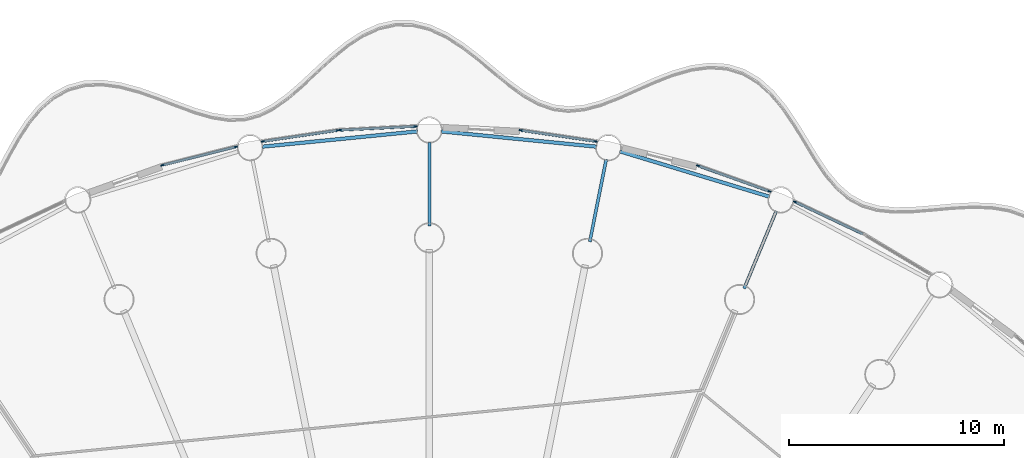
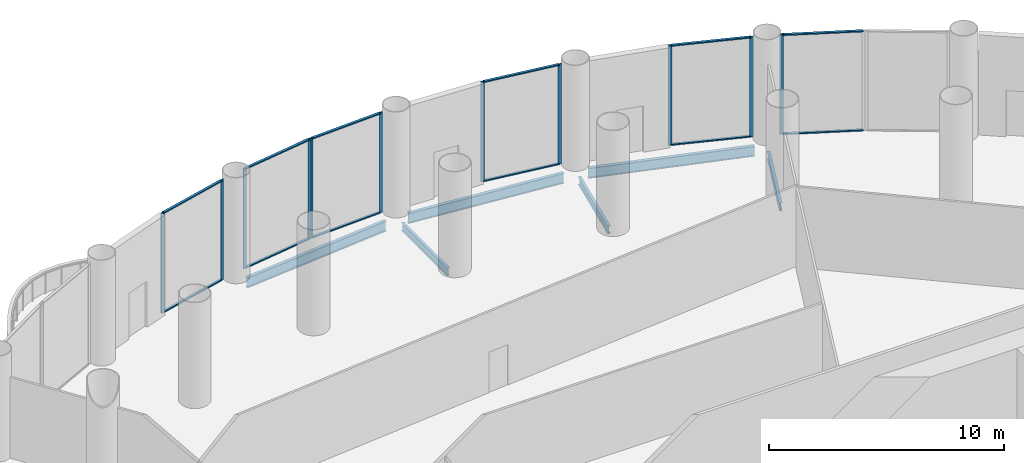
# One storey, part 18 of 37: 23 members, 6 beams, 6 elements without a shape of their own.
"""IFC4 building model written with IfcOpenShell, lengths in metres."""

import ifcopenshell
import ifcopenshell.guid

model = None  # the IFC model being written
_history = None  # IfcOwnerHistory: only IFC2X3 demands one
_inside = {}  # id of a spatial element -> (the spatial element, [elements in it])
_under = {}  # id of a project, library or spatial element -> (it, [spatial elements below it])
_declared = {}  # id of a project -> (the project, [libraries it declares])
_typed = {}  # id of a type object -> (the type object, [elements of that type])
_made_of = {}  # id of a material, layer set ... -> (it, [elements and type objects made of it])


def new_model(schema):
    """Start an empty IFC model of exactly this schema.

    Asked for "IFC4X3", IfcOpenShell would pick the latest addendum, in which some entities
    have other attributes; the version numbers below select the first issue.
    IFC2X3 requires an IfcOwnerHistory on every rooted entity: one is made here for all.
    """
    global model, _history
    if schema == "IFC4X3":
        model = ifcopenshell.file(schema_version=(4, 3, 0, 0))
    else:
        model = ifcopenshell.file(schema=schema)
    _inside.clear()
    _under.clear()
    _declared.clear()
    _typed.clear()
    _made_of.clear()
    _history = None
    if model.schema == "IFC2X3":
        org = make("IfcOrganization", Name="unknown")
        user = make(
            "IfcPersonAndOrganization",
            ThePerson=make("IfcPerson", FamilyName="unknown"),
            TheOrganization=org,
        )
        app = make(
            "IfcApplication",
            ApplicationDeveloper=org,
            Version="unknown",
            ApplicationFullName="unknown",
            ApplicationIdentifier="unknown",
        )
        _history = make(
            "IfcOwnerHistory",
            OwningUser=user,
            OwningApplication=app,
            ChangeAction="ADDED",
            CreationDate=0,
        )
    return model


def make(cls, **values):
    """One entity of the class cls with the attributes given. An attribute that is None is left unset."""
    return model.create_entity(
        cls, **{name: value for name, value in values.items() if value is not None}
    )


def rooted(cls, **values):
    """An entity with a GlobalId (a new one), such as an element, a storey or a relation."""
    return make(cls, GlobalId=ifcopenshell.guid.new(), OwnerHistory=_history, **values)


def si_unit(unit_type, name, prefix=None):
    """IfcSIUnit, for example si_unit("LENGTHUNIT", "METRE", prefix="MILLI")."""
    return make("IfcSIUnit", UnitType=unit_type, Prefix=prefix, Name=name)


def assignment(units):
    """IfcUnitAssignment: the units of a project."""
    return None if units is None else make("IfcUnitAssignment", Units=units)


def point(xyz):
    """IfcCartesianPoint."""
    return None if xyz is None else make("IfcCartesianPoint", Coordinates=xyz)


def direction(xyz):
    """IfcDirection."""
    return None if xyz is None else make("IfcDirection", DirectionRatios=xyz)


def frame(location, z_axis=None, x_axis=None):
    """IfcAxis2Placement3D, a coordinate frame: its origin and axes. An axis left out is left unset."""
    return make(
        "IfcAxis2Placement3D",
        Location=point(location),
        Axis=direction(z_axis),
        RefDirection=direction(x_axis),
    )


def frame_2d(location, x_axis=None):
    """IfcAxis2Placement2D, a coordinate frame in the plane: its origin and x axis."""
    return make(
        "IfcAxis2Placement2D", Location=point(location), RefDirection=direction(x_axis)
    )


def origin():
    """The frame at (0, 0, 0) with its axes left unset."""
    return frame((0.0, 0.0, 0.0))


def origin_2d():
    """The frame at (0, 0) in the plane with its x axis left unset."""
    return frame_2d((0.0, 0.0))


def place(relative_to, where):
    """IfcLocalPlacement: puts the frame where relative to a parent placement (None: the world)."""
    return make(
        "IfcLocalPlacement", PlacementRelTo=relative_to, RelativePlacement=where
    )


def context(
    kind, dimensions, precision=None, world=None, true_north=None, identifier=None
):
    """IfcGeometricRepresentationContext, for example the 3D "Model" context."""
    return make(
        "IfcGeometricRepresentationContext",
        ContextIdentifier=identifier,
        ContextType=kind,
        CoordinateSpaceDimension=dimensions,
        Precision=precision,
        WorldCoordinateSystem=world,
        TrueNorth=true_north,
    )


def subcontext(parent, identifier, kind, view, scale=None):
    """IfcGeometricRepresentationSubContext, for example "Body" below "Model"."""
    return make(
        "IfcGeometricRepresentationSubContext",
        ContextIdentifier=identifier,
        ContextType=kind,
        ParentContext=parent,
        TargetScale=scale,
        TargetView=view,
    )


def project(units=None, contexts=None):
    """IfcProject with its units and contexts."""
    return rooted(
        "IfcProject",
        Name="project",
        RepresentationContexts=contexts,
        UnitsInContext=assignment(units),
    )


def spatial(cls, under=None, at=None, **own):
    """A site, building, storey or space (cls), placed at a placement, below another one or the project."""
    s = rooted(cls, ObjectPlacement=at, **own)
    if under is not None:
        _under.setdefault(under.id(), (under, []))[1].append(s)
    return s


def profile(cls, at=None, kind="AREA", **sizes):
    """A parametric profile (cls). Its sizes go by their IFC names, for example OverallWidth=200.0."""
    return make(cls, ProfileType=kind, Position=at, **sizes)


def rectangle(**sizes):
    """IfcRectangleProfileDef."""
    return profile("IfcRectangleProfileDef", **sizes)


def i_section(**sizes):
    """IfcIShapeProfileDef."""
    return profile("IfcIShapeProfileDef", **sizes)


def extrude(swept, where, along, depth):
    """IfcExtrudedAreaSolid: the profile swept, set in the frame where, extruded along a direction by depth."""
    return make(
        "IfcExtrudedAreaSolid",
        SweptArea=swept,
        Position=where,
        ExtrudedDirection=direction(along),
        Depth=depth,
    )


def shape(context_of_items, identifier, shape_type, items):
    """IfcShapeRepresentation: the items that make up one representation, for example the "Body"."""
    return make(
        "IfcShapeRepresentation",
        ContextOfItems=context_of_items,
        RepresentationIdentifier=identifier,
        RepresentationType=shape_type,
        Items=items,
    )


def material(Name=None, Category=None):
    """IfcMaterial."""
    return make("IfcMaterial", Name=Name, Category=Category)


def material_profile(
    of_material, cross_section, Name=None, Category=None, Priority=None
):
    """IfcMaterialProfile: a cross section and its material."""
    return make(
        "IfcMaterialProfile",
        Name=Name,
        Material=of_material,
        Profile=cross_section,
        Priority=Priority,
        Category=Category,
    )


def profile_set(profiles, Name=None, composite=None):
    """IfcMaterialProfileSet."""
    return make(
        "IfcMaterialProfileSet",
        Name=Name,
        MaterialProfiles=profiles,
        CompositeProfile=composite,
    )


def made_of(thing, what):
    """Note that an element or type object is made of a material, layer set ...; save() writes the relation."""
    if what is not None:
        _made_of.setdefault(what.id(), (what, []))[1].append(thing)
    return thing


def type_object(cls, material=None, **own):
    """A type object (cls), such as IfcWallType, which elements share."""
    return made_of(rooted(cls, **own), material)


def element(
    cls,
    number,
    at=None,
    inside=None,
    cuts=None,
    type_object=None,
    material=None,
    context=None,
    identifier="Body",
    shape_type=None,
    held_by="IfcProductDefinitionShape",
    body=None,
    shapes=None,
    **own,
):
    """One element of the class cls, such as IfcWall. Its Tag is "e" and its number.

    at: its placement. inside: the storey or other place that contains it. cuts: it is an
    opening in that element (IfcRelVoidsElement). A single representation is given by context,
    identifier, shape_type and body (its items); several are given by shapes. held_by: the class
    of the entity that holds the representations. save() writes the other relations.
    """
    e = rooted(cls, Tag="e%d" % number, ObjectPlacement=at, **own)
    if body is not None:
        shapes = [shape(context, identifier, shape_type, body)]
    if shapes is not None:
        e.Representation = make(held_by, Representations=shapes)
    if inside is not None:
        _inside.setdefault(inside.id(), (inside, []))[1].append(e)
    if cuts is not None:
        rooted(
            "IfcRelVoidsElement", RelatingBuildingElement=cuts, RelatedOpeningElement=e
        )
    if type_object is not None:
        _typed.setdefault(type_object.id(), (type_object, []))[1].append(e)
    return made_of(e, material)


def aggregate(whole, parts):
    """IfcRelAggregates: a whole, such as a stair, and the parts it consists of."""
    return rooted("IfcRelAggregates", RelatingObject=whole, RelatedObjects=parts)


def save(model, path):
    """Write the relations noted so far, then the file.

    IfcRelAggregates (storeys below a building ...), IfcRelContainedInSpatialStructure (elements
    in a storey), IfcRelDefinesByType, IfcRelAssociatesMaterial and IfcRelDeclares: one each for
    every whole, place, type object, material and project.
    """
    for whole, parts in _under.values():
        aggregate(whole, parts)
    for where, things in _inside.values():
        rooted(
            "IfcRelContainedInSpatialStructure",
            RelatedElements=things,
            RelatingStructure=where,
        )
    for kind, things in _typed.values():
        rooted("IfcRelDefinesByType", RelatedObjects=things, RelatingType=kind)
    for what, things in _made_of.values():
        rooted("IfcRelAssociatesMaterial", RelatedObjects=things, RelatingMaterial=what)
    for by, libraries in _declared.values():
        rooted("IfcRelDeclares", RelatingContext=by, RelatedDefinitions=libraries)
    model.write(path)


model = new_model("IFC4")

# Units and contexts
model_context = context("Model", 3, precision=1e-05, world=origin(), true_north=direction((0.0, 1.0)))
body_context = subcontext(model_context, "Body", "Model", "MODEL_VIEW")
ifc_project = project(units=[si_unit("LENGTHUNIT", "METRE"), si_unit("AREAUNIT", "SQUARE_METRE"), si_unit("VOLUMEUNIT", "CUBIC_METRE"), si_unit("PLANEANGLEUNIT", "RADIAN"), si_unit("MASSUNIT", "GRAM", prefix="KILO")], contexts=[model_context])

# Site, building, storey
site_placement = place(None, origin())
site = spatial("IfcSite", under=ifc_project, at=site_placement, CompositionType="ELEMENT")
building_placement = place(site_placement, origin())
building = spatial("IfcBuilding", under=site, at=building_placement, Name="Corvane Civic Tower", CompositionType="ELEMENT")
storey_placement = place(building_placement, frame((0.0, 0.0, 11.5)))
storey = spatial("IfcBuildingStorey", under=building, at=storey_placement, Name="L02", CompositionType="ELEMENT", Elevation=11.5)

# Beams
ifc_material_1 = material(Name="Steel ASTM A992 Gr 50", Category="steel")
ifc_material_profile_1 = material_profile(ifc_material_1, i_section(OverallWidth=0.165771484375, OverallDepth=0.5283203125, WebThickness=0.009765625, FlangeThickness=0.013671875, at=origin_2d()), Name="W21X50")
ifc_profile_set_1 = profile_set([ifc_material_profile_1], Name="Steel ASTM A992 Gr 50")
beam_type_1 = type_object("IfcBeamType", Name="EDGE BEAM W21X50", PredefinedType="BEAM", material=ifc_profile_set_1)
for number, where, z_axis, x_axis, name in (
    (1, (0.54736328125, 42.64599609375, -0.564208984375), (0.995187967953, -0.097984225478, 0.0), (0.097984225478, 0.995187967953, 0.0), "BM-L02-E01"),
    (2, (8.856689453125, 41.719970703125, -0.564208984375), (0.956938225664, -0.290291633127, 0.0), (0.290291633127, 0.956938225664, 0.0), "BM-L02-E02"),
    (3, (-7.782958984375, 41.93359375, -0.564208984375), (0.995187967953, 0.097984225478, 0.0), (-0.097984225478, 0.995187967953, 0.0), "BM-L02-E32"),
):
    element("IfcBeam", number, at=place(storey_placement, frame(where, z_axis=z_axis, x_axis=x_axis)), inside=storey, type_object=beam_type_1, Name=name, PredefinedType="BEAM", context=body_context, shape_type="SweptSolid", body=[
        extrude(i_section(OverallWidth=0.165771484375, OverallDepth=0.5283203125, WebThickness=0.009765625, FlangeThickness=0.013671875, at=origin_2d()), origin(), (0.0, 0.0, 1.0), 7.2705078125),
    ])
ifc_material_2 = material(Name="Steel ASTM A992 Gr 50", Category="steel")
ifc_material_profile_2 = material_profile(ifc_material_2, i_section(OverallWidth=0.140380859375, OverallDepth=0.40380859375, WebThickness=0.007080078125, FlangeThickness=0.01123046875, at=origin_2d()), Name="W16X31")
ifc_profile_set_2 = profile_set([ifc_material_profile_2], Name="Steel ASTM A992 Gr 50")
beam_type_2 = type_object("IfcBeamType", Name="FLOOR GIRDER W16X31", PredefinedType="BEAM", material=ifc_profile_set_2)
for number, where, z_axis, x_axis, name in (
    (4, (0.0, 38.25, -0.501953125), (0.0, 1.0, 0.0), (-1.0, 0.0, 0.0), "BM-L02-G01b"),
    (5, (7.462158203125, 37.51513671875, -0.501953125), (0.195128858343, 0.980777614264, 0.0), (-0.980777614264, 0.195128858343, 0.0), "BM-L02-G02b"),
    (6, (14.6376953125, 35.33837890625, -0.501953125), (0.382685369162, 0.923878730261, 0.0), (-0.923878730261, 0.382685369162, 0.0), "BM-L02-G03b"),
):
    element("IfcBeam", number, at=place(storey_placement, frame(where, z_axis=z_axis, x_axis=x_axis)), inside=storey, type_object=beam_type_2, Name=name, PredefinedType="BEAM", context=body_context, shape_type="SweptSolid", body=[
        extrude(i_section(OverallWidth=0.140380859375, OverallDepth=0.40380859375, WebThickness=0.007080078125, FlangeThickness=0.01123046875, at=origin_2d()), origin(), (0.0, 0.0, 1.0), 3.89990234375),
    ])

# Curtain wall, members
ifc_material_3 = material(Name="Aluminium and glass", Category="aluminium")
curtain_wall_type = type_object("IfcCurtainWallType", Name="PODIUM-CW-P-RUN", PredefinedType="NOTDEFINED", material=ifc_material_3)
curtain_wall_1_placement = place(storey_placement, origin())
curtain_wall_1 = element("IfcCurtainWall", 7, at=curtain_wall_1_placement, inside=storey, type_object=curtain_wall_type, Name="PODI run L02-drum-01B", PredefinedType="NOTDEFINED")
ifc_material_4 = material(Name="Anodised aluminium bronze", Category="aluminium")
ifc_material_profile_3 = material_profile(ifc_material_4, rectangle(XDim=0.06005859375, YDim=0.159912109375, at=origin_2d()), Name="AL 60x160")
ifc_profile_set_3 = profile_set([ifc_material_profile_3], Name="Anodised aluminium bronze")
member_type_1 = type_object("IfcMemberType", Name="PODIUM-CWP-MULLION-60x160", PredefinedType="MULLION", material=ifc_profile_set_3)
member_1_placement = place(storey_placement, frame((4.2509765625, 42.696533203125, 0.0), z_axis=(0.0, 0.0, 1.0), x_axis=(0.146714694252, 0.989178850608, 0.0)))
member_1 = element("IfcMember", 8, at=member_1_placement, type_object=member_type_1, Name="CW-P mullion 1", PredefinedType="MULLION", context=body_context, shape_type="SweptSolid", body=[
    extrude(rectangle(XDim=0.06005859375, YDim=0.159912109375, at=origin_2d()), origin(), (0.0, 0.0, 1.0), 5.199951171875),
])
member_2_placement = place(storey_placement, frame((7.732666015625, 42.18017578125, 0.0), z_axis=(0.0, 0.0, 1.0), x_axis=(0.146714694252, 0.989178850608, 0.0)))
member_2 = element("IfcMember", 9, at=member_2_placement, type_object=member_type_1, Name="CW-P mullion 2", PredefinedType="MULLION", context=body_context, shape_type="SweptSolid", body=[
    extrude(rectangle(XDim=0.06005859375, YDim=0.159912109375, at=origin_2d()), origin(), (0.0, 0.0, 1.0), 5.199951171875),
])

curtain_wall_2_placement = place(storey_placement, origin())
curtain_wall_2 = element("IfcCurtainWall", 10, at=curtain_wall_2_placement, inside=storey, type_object=curtain_wall_type, Name="PODI run L02-drum-02B", PredefinedType="NOTDEFINED")
member_3_placement = place(storey_placement, frame((12.4990234375, 41.046875, 0.0), z_axis=(0.0, 0.0, 1.0), x_axis=(0.336918534123, 0.941533802561, 0.0)))
member_3 = element("IfcMember", 11, at=member_3_placement, type_object=member_type_1, Name="CW-P mullion 1", PredefinedType="MULLION", context=body_context, shape_type="SweptSolid", body=[
    extrude(rectangle(XDim=0.06005859375, YDim=0.159912109375, at=origin_2d()), origin(), (0.0, 0.0, 1.0), 5.199951171875),
])
member_4_placement = place(storey_placement, frame((15.81298828125, 39.861083984375, 0.0), z_axis=(0.0, 0.0, 1.0), x_axis=(0.336918534123, 0.941533802561, 0.0)))
member_4 = element("IfcMember", 12, at=member_4_placement, type_object=member_type_1, Name="CW-P mullion 2", PredefinedType="MULLION", context=body_context, shape_type="SweptSolid", body=[
    extrude(rectangle(XDim=0.06005859375, YDim=0.159912109375, at=origin_2d()), origin(), (0.0, 0.0, 1.0), 5.199951171875),
])

# Curtain wall, member
curtain_wall_3_placement = place(storey_placement, origin())
curtain_wall_3 = element("IfcCurtainWall", 13, at=curtain_wall_3_placement, inside=storey, type_object=curtain_wall_type, Name="PODI run L02-drum-03A", PredefinedType="NOTDEFINED")
member_5_placement = place(storey_placement, frame((17.00439453125, 39.36767578125, 0.0), z_axis=(0.0, 0.0, 1.0), x_axis=(0.42755312852, 0.903990222454, 0.0)))
member_5 = element("IfcMember", 14, at=member_5_placement, type_object=member_type_1, Name="CW-P mullion 1", PredefinedType="MULLION", context=body_context, shape_type="SweptSolid", body=[
    extrude(rectangle(XDim=0.06005859375, YDim=0.159912109375, at=origin_2d()), origin(), (0.0, 0.0, 1.0), 5.199951171875),
])

# Curtain wall, members
curtain_wall_4_placement = place(storey_placement, origin())
curtain_wall_4 = element("IfcCurtainWall", 15, at=curtain_wall_4_placement, inside=storey, type_object=curtain_wall_type, Name="PODI run L02-drum-31B", PredefinedType="NOTDEFINED")
member_6_placement = place(storey_placement, frame((-12.411865234375, 41.0732421875, 0.0), z_axis=(0.0, 0.0, 1.0), x_axis=(-0.243008852393, 0.970024070659, 0.0)))
member_6 = element("IfcMember", 16, at=member_6_placement, type_object=member_type_1, Name="CW-P mullion 1", PredefinedType="MULLION", context=body_context, shape_type="SweptSolid", body=[
    extrude(rectangle(XDim=0.06005859375, YDim=0.159912109375, at=origin_2d()), origin(), (0.0, 0.0, 1.0), 5.199951171875),
])
member_7_placement = place(storey_placement, frame((-8.99755859375, 41.9287109375, 0.0), z_axis=(0.0, 0.0, 1.0), x_axis=(-0.243008852393, 0.970024070659, 0.0)))
member_7 = element("IfcMember", 17, at=member_7_placement, type_object=member_type_1, Name="CW-P mullion 2", PredefinedType="MULLION", context=body_context, shape_type="SweptSolid", body=[
    extrude(rectangle(XDim=0.06005859375, YDim=0.159912109375, at=origin_2d()), origin(), (0.0, 0.0, 1.0), 5.199951171875),
])

curtain_wall_5_placement = place(storey_placement, origin())
curtain_wall_5 = element("IfcCurtainWall", 18, at=curtain_wall_5_placement, inside=storey, type_object=curtain_wall_type, Name="PODI run L02-drum-32A", PredefinedType="NOTDEFINED")
member_8_placement = place(storey_placement, frame((-7.732666015625, 42.18017578125, 0.0), z_axis=(0.0, 0.0, 1.0), x_axis=(-0.146714694252, 0.989178850608, 0.0)))
member_8 = element("IfcMember", 19, at=member_8_placement, type_object=member_type_1, Name="CW-P mullion 1", PredefinedType="MULLION", context=body_context, shape_type="SweptSolid", body=[
    extrude(rectangle(XDim=0.06005859375, YDim=0.159912109375, at=origin_2d()), origin(), (0.0, 0.0, 1.0), 5.199951171875),
])
member_9_placement = place(storey_placement, frame((-4.2509765625, 42.696533203125, 0.0), z_axis=(0.0, 0.0, 1.0), x_axis=(-0.146714694252, 0.989178850608, 0.0)))
member_9 = element("IfcMember", 20, at=member_9_placement, type_object=member_type_1, Name="CW-P mullion 2", PredefinedType="MULLION", context=body_context, shape_type="SweptSolid", body=[
    extrude(rectangle(XDim=0.06005859375, YDim=0.159912109375, at=origin_2d()), origin(), (0.0, 0.0, 1.0), 5.199951171875),
])

curtain_wall_6_placement = place(storey_placement, origin())
curtain_wall_6 = element("IfcCurtainWall", 21, at=curtain_wall_6_placement, inside=storey, type_object=curtain_wall_type, Name="PODI run L02-drum-32B", PredefinedType="NOTDEFINED")
member_10_placement = place(storey_placement, frame((-4.16064453125, 42.70556640625, 0.0), z_axis=(0.0, 0.0, 1.0), x_axis=(-0.04905015332, 0.998796316803, 0.0)))
member_10 = element("IfcMember", 22, at=member_10_placement, type_object=member_type_1, Name="CW-P mullion 1", PredefinedType="MULLION", context=body_context, shape_type="SweptSolid", body=[
    extrude(rectangle(XDim=0.06005859375, YDim=0.159912109375, at=origin_2d()), origin(), (0.0, 0.0, 1.0), 5.199951171875),
])
member_11_placement = place(storey_placement, frame((-0.644775390625, 42.878173828125, 0.0), z_axis=(0.0, 0.0, 1.0), x_axis=(-0.04905015332, 0.998796316803, 0.0)))
member_11 = element("IfcMember", 23, at=member_11_placement, type_object=member_type_1, Name="CW-P mullion 2", PredefinedType="MULLION", context=body_context, shape_type="SweptSolid", body=[
    extrude(rectangle(XDim=0.06005859375, YDim=0.159912109375, at=origin_2d()), origin(), (0.0, 0.0, 1.0), 5.199951171875),
])

# Member
ifc_material_5 = material(Name="Anodised aluminium bronze", Category="aluminium")
ifc_material_profile_4 = material_profile(ifc_material_5, rectangle(XDim=0.1201171875, YDim=0.06005859375, at=origin_2d()), Name="AL 120x60")
ifc_profile_set_4 = profile_set([ifc_material_profile_4], Name="Anodised aluminium bronze")
member_type_2 = type_object("IfcMemberType", Name="PODIUM-CWP-TRANSOM-60x120", PredefinedType="USERDEFINED", material=ifc_profile_set_4)
member_12_placement = place(storey_placement, frame((4.28076171875, 42.692138671875, 0.030029296875), z_axis=(0.989180338828, -0.146704660039, 0.0), x_axis=(0.146704660039, 0.989180338828, 0.0)))
member_12 = element("IfcMember", 24, at=member_12_placement, type_object=member_type_2, Name="CW-P transom 1.1", ObjectType="TRANSOM", PredefinedType="USERDEFINED", context=body_context, shape_type="SweptSolid", body=[
    extrude(rectangle(XDim=0.1201171875, YDim=0.06005859375, at=origin_2d()), origin(), (0.0, 0.0, 1.0), 3.459716796875),
])

member_13_placement = place(storey_placement, frame((4.28076171875, 42.692138671875, 5.169921875), z_axis=(0.989180338828, -0.146704660039, 0.0), x_axis=(0.146704660039, 0.989180338828, 0.0)))
member_13 = element("IfcMember", 25, at=member_13_placement, type_object=member_type_2, Name="CW-P transom 1.2", ObjectType="TRANSOM", PredefinedType="USERDEFINED", context=body_context, shape_type="SweptSolid", body=[
    extrude(rectangle(XDim=0.1201171875, YDim=0.06005859375, at=origin_2d()), origin(), (0.0, 0.0, 1.0), 3.459716796875),
])

aggregate(curtain_wall_1, [member_1, member_2, member_12, member_13])

member_14_placement = place(storey_placement, frame((12.527099609375, 41.036865234375, 0.030029296875), z_axis=(0.941526196838, -0.336939787896, 0.0), x_axis=(0.336939787896, 0.941526196838, 0.0)))
member_14 = element("IfcMember", 26, at=member_14_placement, type_object=member_type_2, Name="CW-P transom 1.1", ObjectType="TRANSOM", PredefinedType="USERDEFINED", context=body_context, shape_type="SweptSolid", body=[
    extrude(rectangle(XDim=0.1201171875, YDim=0.06005859375, at=origin_2d()), origin(), (0.0, 0.0, 1.0), 3.4599609375),
])

member_15_placement = place(storey_placement, frame((12.527099609375, 41.036865234375, 5.169921875), z_axis=(0.941526196838, -0.336939787896, 0.0), x_axis=(0.336939787896, 0.941526196838, 0.0)))
member_15 = element("IfcMember", 27, at=member_15_placement, type_object=member_type_2, Name="CW-P transom 1.2", ObjectType="TRANSOM", PredefinedType="USERDEFINED", context=body_context, shape_type="SweptSolid", body=[
    extrude(rectangle(XDim=0.1201171875, YDim=0.06005859375, at=origin_2d()), origin(), (0.0, 0.0, 1.0), 3.4599609375),
])

aggregate(curtain_wall_2, [member_3, member_4, member_14, member_15])

member_16_placement = place(storey_placement, frame((17.031494140625, 39.354736328125, 0.030029296875), z_axis=(0.903993431638, -0.427546343166, 0.0), x_axis=(0.427546343166, 0.903993431638, 0.0)))
member_16 = element("IfcMember", 28, at=member_16_placement, type_object=member_type_2, Name="CW-P transom 1.1", ObjectType="TRANSOM", PredefinedType="USERDEFINED", context=body_context, shape_type="SweptSolid", body=[
    extrude(rectangle(XDim=0.1201171875, YDim=0.06005859375, at=origin_2d()), origin(), (0.0, 0.0, 1.0), 3.4599609375),
])

member_17_placement = place(storey_placement, frame((17.031494140625, 39.354736328125, 5.169921875), z_axis=(0.903993431638, -0.427546343166, 0.0), x_axis=(0.427546343166, 0.903993431638, 0.0)))
member_17 = element("IfcMember", 29, at=member_17_placement, type_object=member_type_2, Name="CW-P transom 1.2", ObjectType="TRANSOM", PredefinedType="USERDEFINED", context=body_context, shape_type="SweptSolid", body=[
    extrude(rectangle(XDim=0.1201171875, YDim=0.06005859375, at=origin_2d()), origin(), (0.0, 0.0, 1.0), 3.4599609375),
])

aggregate(curtain_wall_3, [member_5, member_16, member_17])

member_18_placement = place(storey_placement, frame((-12.3828125, 41.08056640625, 0.030029296875), z_axis=(0.970022009425, 0.243017080124, 0.0), x_axis=(-0.243017080124, 0.970022009425, 0.0)))
member_18 = element("IfcMember", 30, at=member_18_placement, type_object=member_type_2, Name="CW-P transom 1.1", ObjectType="TRANSOM", PredefinedType="USERDEFINED", context=body_context, shape_type="SweptSolid", body=[
    extrude(rectangle(XDim=0.1201171875, YDim=0.06005859375, at=origin_2d()), origin(), (0.0, 0.0, 1.0), 3.4599609375),
])

member_19_placement = place(storey_placement, frame((-12.3828125, 41.08056640625, 5.169921875), z_axis=(0.970022009425, 0.243017080124, 0.0), x_axis=(-0.243017080124, 0.970022009425, 0.0)))
member_19 = element("IfcMember", 31, at=member_19_placement, type_object=member_type_2, Name="CW-P transom 1.2", ObjectType="TRANSOM", PredefinedType="USERDEFINED", context=body_context, shape_type="SweptSolid", body=[
    extrude(rectangle(XDim=0.1201171875, YDim=0.06005859375, at=origin_2d()), origin(), (0.0, 0.0, 1.0), 3.4599609375),
])

aggregate(curtain_wall_4, [member_6, member_7, member_18, member_19])

member_20_placement = place(storey_placement, frame((-7.703125, 42.1845703125, 0.030029296875), z_axis=(0.989180338828, 0.146704660039, 0.0), x_axis=(-0.146704660039, 0.989180338828, 0.0)))
member_20 = element("IfcMember", 32, at=member_20_placement, type_object=member_type_2, Name="CW-P transom 1.1", ObjectType="TRANSOM", PredefinedType="USERDEFINED", context=body_context, shape_type="SweptSolid", body=[
    extrude(rectangle(XDim=0.1201171875, YDim=0.06005859375, at=origin_2d()), origin(), (0.0, 0.0, 1.0), 3.459716796875),
])

member_21_placement = place(storey_placement, frame((-7.703125, 42.1845703125, 5.169921875), z_axis=(0.989180338828, 0.146704660039, 0.0), x_axis=(-0.146704660039, 0.989180338828, 0.0)))
member_21 = element("IfcMember", 33, at=member_21_placement, type_object=member_type_2, Name="CW-P transom 1.2", ObjectType="TRANSOM", PredefinedType="USERDEFINED", context=body_context, shape_type="SweptSolid", body=[
    extrude(rectangle(XDim=0.1201171875, YDim=0.06005859375, at=origin_2d()), origin(), (0.0, 0.0, 1.0), 3.459716796875),
])

aggregate(curtain_wall_5, [member_8, member_9, member_20, member_21])

member_22_placement = place(storey_placement, frame((-4.130615234375, 42.70703125, 0.030029296875), z_axis=(0.998796806423, 0.049040182301, 0.0), x_axis=(-0.049040182301, 0.998796806423, 0.0)))
member_22 = element("IfcMember", 34, at=member_22_placement, type_object=member_type_2, Name="CW-P transom 1.1", ObjectType="TRANSOM", PredefinedType="USERDEFINED", context=body_context, shape_type="SweptSolid", body=[
    extrude(rectangle(XDim=0.1201171875, YDim=0.06005859375, at=origin_2d()), origin(), (0.0, 0.0, 1.0), 3.4599609375),
])

member_23_placement = place(storey_placement, frame((-4.130615234375, 42.70703125, 5.169921875), z_axis=(0.998796806423, 0.049040182301, 0.0), x_axis=(-0.049040182301, 0.998796806423, 0.0)))
member_23 = element("IfcMember", 35, at=member_23_placement, type_object=member_type_2, Name="CW-P transom 1.2", ObjectType="TRANSOM", PredefinedType="USERDEFINED", context=body_context, shape_type="SweptSolid", body=[
    extrude(rectangle(XDim=0.1201171875, YDim=0.06005859375, at=origin_2d()), origin(), (0.0, 0.0, 1.0), 3.4599609375),
])

aggregate(curtain_wall_6, [member_10, member_11, member_22, member_23])

save(model, "model.ifc")
